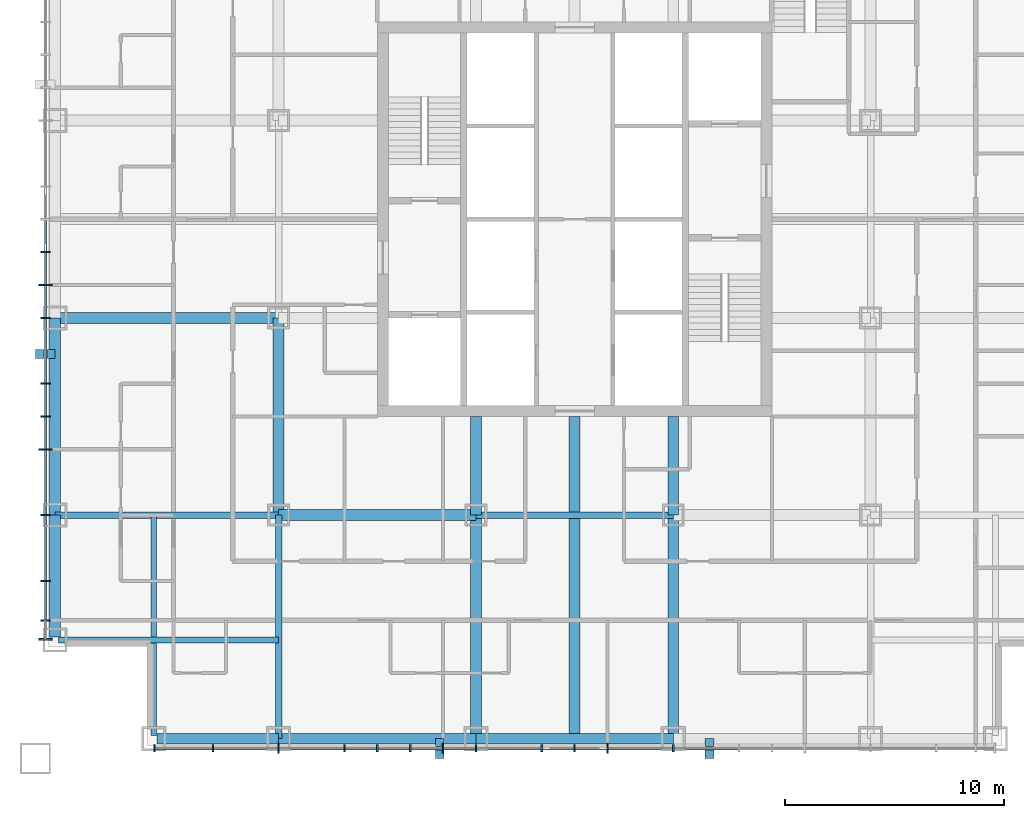
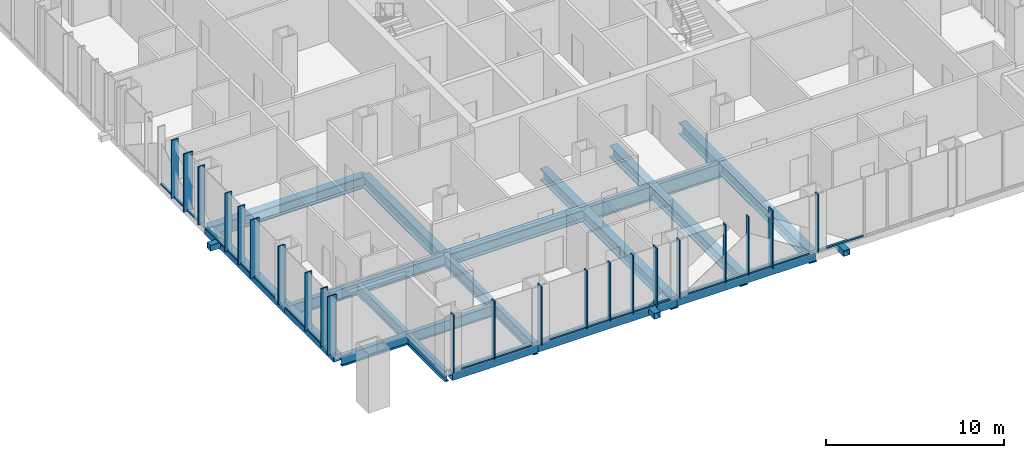
# One storey, part 2 of 16: 46 members, 18 beams, 2 elements without a shape of their own.
"""IFC4 building model written with IfcOpenShell, lengths in metres."""

from ifc_helpers import new_model, si_unit, direction, frame, origin, origin_2d, place, context, subcontext, project, spatial, rectangle, hollow_rectangle, i_section, extrude, material, layer, layer_set, material_profile, profile_set, type_object, element, aggregate, save


model = new_model("IFC4")

# Units and contexts
model_context = context("Model", 3, precision=1e-05, world=origin(), true_north=direction((0.0, 1.0)))
body_context = subcontext(model_context, "Body", "Model", "MODEL_VIEW")
ifc_project = project(units=[si_unit("LENGTHUNIT", "METRE"), si_unit("AREAUNIT", "SQUARE_METRE"), si_unit("VOLUMEUNIT", "CUBIC_METRE"), si_unit("PLANEANGLEUNIT", "RADIAN"), si_unit("MASSUNIT", "GRAM", prefix="KILO")], contexts=[model_context])

# Site, building, storey
site_placement = place(None, origin())
site = spatial("IfcSite", under=ifc_project, at=site_placement, CompositionType="ELEMENT")
building_placement = place(site_placement, origin())
building = spatial("IfcBuilding", under=site, at=building_placement, Name="Malebo Sky Hospital", CompositionType="ELEMENT")
storey_placement = place(building_placement, frame((0.0, 0.0, 152.0)))
storey = spatial("IfcBuildingStorey", under=building, at=storey_placement, Name="L36", CompositionType="ELEMENT", Elevation=152.0)

# Curtain wall, members
ifc_material_1 = material(Name="Anodised aluminium, natural silver", Category="aluminium")
ifc_layer_1 = layer(ifc_material_1, 0.25)
ifc_layer_set_1 = layer_set([ifc_layer_1], Name="WARD CURTAIN WALL EAST AND WEST")
curtain_wall_type_1 = type_object("IfcCurtainWallType", Name="WARD CURTAIN WALL EAST AND WEST", PredefinedType="NOTDEFINED", material=ifc_layer_set_1)
curtain_wall_1_placement = place(storey_placement, origin())
curtain_wall_1 = element("IfcCurtainWall", 1, at=curtain_wall_1_placement, inside=storey, type_object=curtain_wall_type_1, Name="EW curtain wall W", PredefinedType="NOTDEFINED")
ifc_material_profile_1 = material_profile(ifc_material_1, rectangle(XDim=0.14990234375, YDim=0.10009765625, at=origin_2d()), Name="ALUMINIUM TRANSOM 150x100")
ifc_profile_set_1 = profile_set([ifc_material_profile_1], Name="Anodised aluminium, natural silver")
member_type_1 = type_object("IfcMemberType", Name="ALUMINIUM TRANSOM 150x100", PredefinedType="USERDEFINED", material=ifc_profile_set_1)
member_1_placement = place(storey_placement, frame((35.864990234375, 43.737548828125, 0.050048828125), z_axis=(0.0, 1.0, 0.0), x_axis=(-1.0, 0.0, 0.0)))
member_1 = element("IfcMember", 2, at=member_1_placement, type_object=member_type_1, Name="Transom 2", ObjectType="TRANSOM", PredefinedType="USERDEFINED", context=body_context, shape_type="SweptSolid", body=[
    extrude(rectangle(XDim=0.14990234375, YDim=0.10009765625, at=origin_2d()), origin(), (0.0, 0.0, 1.0), 1.724853515625),
])
member_2_placement = place(storey_placement, frame((35.864990234375, 45.53759765625, 0.050048828125), z_axis=(0.0, 1.0, 0.0), x_axis=(-1.0, 0.0, 0.0)))
member_2 = element("IfcMember", 3, at=member_2_placement, type_object=member_type_1, Name="Transom 3", ObjectType="TRANSOM", PredefinedType="USERDEFINED", context=body_context, shape_type="SweptSolid", body=[
    extrude(rectangle(XDim=0.14990234375, YDim=0.10009765625, at=origin_2d()), origin(), (0.0, 0.0, 1.0), 2.9248046875),
])
member_3_placement = place(storey_placement, frame((35.864990234375, 48.53759765625, 0.050048828125), z_axis=(0.0, 1.0, 0.0), x_axis=(-1.0, 0.0, 0.0)))
member_3 = element("IfcMember", 4, at=member_3_placement, type_object=member_type_1, Name="Transom 4", ObjectType="TRANSOM", PredefinedType="USERDEFINED", context=body_context, shape_type="SweptSolid", body=[
    extrude(rectangle(XDim=0.14990234375, YDim=0.10009765625, at=origin_2d()), origin(), (0.0, 0.0, 1.0), 2.9248046875),
])
member_4_placement = place(storey_placement, frame((35.864990234375, 51.53759765625, 0.050048828125), z_axis=(0.0, 1.0, 0.0), x_axis=(-1.0, 0.0, 0.0)))
member_4 = element("IfcMember", 5, at=member_4_placement, type_object=member_type_1, Name="Transom 5", ObjectType="TRANSOM", PredefinedType="USERDEFINED", context=body_context, shape_type="SweptSolid", body=[
    extrude(rectangle(XDim=0.14990234375, YDim=0.10009765625, at=origin_2d()), origin(), (0.0, 0.0, 1.0), 1.4248046875),
])
member_5_placement = place(storey_placement, frame((35.864990234375, 53.03759765625, 0.050048828125), z_axis=(0.0, 1.0, 0.0), x_axis=(-1.0, 0.0, 0.0)))
member_5 = element("IfcMember", 6, at=member_5_placement, type_object=member_type_1, Name="Transom 6", ObjectType="TRANSOM", PredefinedType="USERDEFINED", context=body_context, shape_type="SweptSolid", body=[
    extrude(rectangle(XDim=0.14990234375, YDim=0.10009765625, at=origin_2d()), origin(), (0.0, 0.0, 1.0), 1.4248046875),
])
member_6_placement = place(storey_placement, frame((35.864990234375, 54.53759765625, 0.050048828125), z_axis=(0.0, 1.0, 0.0), x_axis=(-1.0, 0.0, 0.0)))
member_6 = element("IfcMember", 7, at=member_6_placement, type_object=member_type_1, Name="Transom 7", ObjectType="TRANSOM", PredefinedType="USERDEFINED", context=body_context, shape_type="SweptSolid", body=[
    extrude(rectangle(XDim=0.14990234375, YDim=0.10009765625, at=origin_2d()), origin(), (0.0, 0.0, 1.0), 2.9248046875),
])
member_7_placement = place(storey_placement, frame((35.864990234375, 57.53759765625, 0.050048828125), z_axis=(0.0, 1.0, 0.0), x_axis=(-1.0, 0.0, 0.0)))
member_7 = element("IfcMember", 8, at=member_7_placement, type_object=member_type_1, Name="Transom 8", ObjectType="TRANSOM", PredefinedType="USERDEFINED", context=body_context, shape_type="SweptSolid", body=[
    extrude(rectangle(XDim=0.14990234375, YDim=0.10009765625, at=origin_2d()), origin(), (0.0, 0.0, 1.0), 1.4248046875),
])
member_8_placement = place(storey_placement, frame((35.864990234375, 59.03759765625, 0.050048828125), z_axis=(0.0, 1.0, 0.0), x_axis=(-1.0, 0.0, 0.0)))
member_8 = element("IfcMember", 9, at=member_8_placement, type_object=member_type_1, Name="Transom 9", ObjectType="TRANSOM", PredefinedType="USERDEFINED", context=body_context, shape_type="SweptSolid", body=[
    extrude(rectangle(XDim=0.14990234375, YDim=0.10009765625, at=origin_2d()), origin(), (0.0, 0.0, 1.0), 1.4248046875),
])
member_9_placement = place(storey_placement, frame((35.864990234375, 60.53759765625, 0.050048828125), z_axis=(0.0, 1.0, 0.0), x_axis=(-1.0, 0.0, 0.0)))
member_9 = element("IfcMember", 10, at=member_9_placement, type_object=member_type_1, Name="Transom 10", ObjectType="TRANSOM", PredefinedType="USERDEFINED", context=body_context, shape_type="SweptSolid", body=[
    extrude(rectangle(XDim=0.14990234375, YDim=0.10009765625, at=origin_2d()), origin(), (0.0, 0.0, 1.0), 1.4248046875),
])

ifc_layer_2 = layer(ifc_material_1, 0.25)
ifc_layer_set_2 = layer_set([ifc_layer_2], Name="WARD CURTAIN WALL NORTH AND SOUTH")
curtain_wall_type_2 = type_object("IfcCurtainWallType", Name="WARD CURTAIN WALL NORTH AND SOUTH", PredefinedType="NOTDEFINED", material=ifc_layer_set_2)
curtain_wall_2_placement = place(storey_placement, origin())
curtain_wall_2 = element("IfcCurtainWall", 11, at=curtain_wall_2_placement, inside=storey, type_object=curtain_wall_type_2, Name="NS curtain wall S", PredefinedType="NOTDEFINED")
member_10_placement = place(storey_placement, frame((67.46240234375, 37.864990234375, 0.050048828125), z_axis=(-1.0, 0.0, 0.0), x_axis=(0.0, -1.0, 0.0)))
member_10 = element("IfcMember", 12, at=member_10_placement, type_object=member_type_1, Name="Transom 7", ObjectType="TRANSOM", PredefinedType="USERDEFINED", context=body_context, shape_type="SweptSolid", body=[
    extrude(rectangle(XDim=0.14990234375, YDim=0.10009765625, at=origin_2d()), origin(), (0.0, 0.0, 1.0), 2.9248046875),
])
member_11_placement = place(storey_placement, frame((64.46240234375, 37.864990234375, 0.050048828125), z_axis=(-1.0, 0.0, 0.0), x_axis=(0.0, -1.0, 0.0)))
member_11 = element("IfcMember", 13, at=member_11_placement, type_object=member_type_1, Name="Transom 8", ObjectType="TRANSOM", PredefinedType="USERDEFINED", context=body_context, shape_type="SweptSolid", body=[
    extrude(rectangle(XDim=0.14990234375, YDim=0.10009765625, at=origin_2d()), origin(), (0.0, 0.0, 1.0), 2.9248046875),
])
member_12_placement = place(storey_placement, frame((61.46240234375, 37.864990234375, 0.050048828125), z_axis=(-1.0, 0.0, 0.0), x_axis=(0.0, -1.0, 0.0)))
member_12 = element("IfcMember", 14, at=member_12_placement, type_object=member_type_1, Name="Transom 9", ObjectType="TRANSOM", PredefinedType="USERDEFINED", context=body_context, shape_type="SweptSolid", body=[
    extrude(rectangle(XDim=0.14990234375, YDim=0.10009765625, at=origin_2d()), origin(), (0.0, 0.0, 1.0), 1.4248046875),
])
member_13_placement = place(storey_placement, frame((59.96240234375, 37.864990234375, 0.050048828125), z_axis=(-1.0, 0.0, 0.0), x_axis=(0.0, -1.0, 0.0)))
member_13 = element("IfcMember", 15, at=member_13_placement, type_object=member_type_1, Name="Transom 10", ObjectType="TRANSOM", PredefinedType="USERDEFINED", context=body_context, shape_type="SweptSolid", body=[
    extrude(rectangle(XDim=0.14990234375, YDim=0.10009765625, at=origin_2d()), origin(), (0.0, 0.0, 1.0), 1.4248046875),
])
member_14_placement = place(storey_placement, frame((58.46240234375, 37.864990234375, 0.050048828125), z_axis=(-1.0, 0.0, 0.0), x_axis=(0.0, -1.0, 0.0)))
member_14 = element("IfcMember", 16, at=member_14_placement, type_object=member_type_1, Name="Transom 11", ObjectType="TRANSOM", PredefinedType="USERDEFINED", context=body_context, shape_type="SweptSolid", body=[
    extrude(rectangle(XDim=0.14990234375, YDim=0.10009765625, at=origin_2d()), origin(), (0.0, 0.0, 1.0), 2.9248046875),
])
member_15_placement = place(storey_placement, frame((55.46240234375, 37.864990234375, 0.050048828125), z_axis=(-1.0, 0.0, 0.0), x_axis=(0.0, -1.0, 0.0)))
member_15 = element("IfcMember", 17, at=member_15_placement, type_object=member_type_1, Name="Transom 12", ObjectType="TRANSOM", PredefinedType="USERDEFINED", context=body_context, shape_type="SweptSolid", body=[
    extrude(rectangle(XDim=0.14990234375, YDim=0.10009765625, at=origin_2d()), origin(), (0.0, 0.0, 1.0), 1.4248046875),
])
member_16_placement = place(storey_placement, frame((53.96240234375, 37.864990234375, 0.050048828125), z_axis=(-1.0, 0.0, 0.0), x_axis=(0.0, -1.0, 0.0)))
member_16 = element("IfcMember", 18, at=member_16_placement, type_object=member_type_1, Name="Transom 13", ObjectType="TRANSOM", PredefinedType="USERDEFINED", context=body_context, shape_type="SweptSolid", body=[
    extrude(rectangle(XDim=0.14990234375, YDim=0.10009765625, at=origin_2d()), origin(), (0.0, 0.0, 1.0), 1.4248046875),
])
member_17_placement = place(storey_placement, frame((52.46240234375, 37.864990234375, 0.050048828125), z_axis=(-1.0, 0.0, 0.0), x_axis=(0.0, -1.0, 0.0)))
member_17 = element("IfcMember", 19, at=member_17_placement, type_object=member_type_1, Name="Transom 14", ObjectType="TRANSOM", PredefinedType="USERDEFINED", context=body_context, shape_type="SweptSolid", body=[
    extrude(rectangle(XDim=0.14990234375, YDim=0.10009765625, at=origin_2d()), origin(), (0.0, 0.0, 1.0), 1.4248046875),
])
member_18_placement = place(storey_placement, frame((50.96240234375, 37.864990234375, 0.050048828125), z_axis=(-1.0, 0.0, 0.0), x_axis=(0.0, -1.0, 0.0)))
member_18 = element("IfcMember", 20, at=member_18_placement, type_object=member_type_1, Name="Transom 15", ObjectType="TRANSOM", PredefinedType="USERDEFINED", context=body_context, shape_type="SweptSolid", body=[
    extrude(rectangle(XDim=0.14990234375, YDim=0.10009765625, at=origin_2d()), origin(), (0.0, 0.0, 1.0), 1.4248046875),
])
member_19_placement = place(storey_placement, frame((49.46240234375, 37.864990234375, 0.050048828125), z_axis=(-1.0, 0.0, 0.0), x_axis=(0.0, -1.0, 0.0)))
member_19 = element("IfcMember", 21, at=member_19_placement, type_object=member_type_1, Name="Transom 16", ObjectType="TRANSOM", PredefinedType="USERDEFINED", context=body_context, shape_type="SweptSolid", body=[
    extrude(rectangle(XDim=0.14990234375, YDim=0.10009765625, at=origin_2d()), origin(), (0.0, 0.0, 1.0), 2.9248046875),
])
member_20_placement = place(storey_placement, frame((46.46240234375, 37.864990234375, 0.050048828125), z_axis=(-1.0, 0.0, 0.0), x_axis=(0.0, -1.0, 0.0)))
member_20 = element("IfcMember", 22, at=member_20_placement, type_object=member_type_1, Name="Transom 17", ObjectType="TRANSOM", PredefinedType="USERDEFINED", context=body_context, shape_type="SweptSolid", body=[
    extrude(rectangle(XDim=0.14990234375, YDim=0.10009765625, at=origin_2d()), origin(), (0.0, 0.0, 1.0), 2.9248046875),
])
member_21_placement = place(storey_placement, frame((43.46240234375, 37.864990234375, 0.050048828125), z_axis=(-1.0, 0.0, 0.0), x_axis=(0.0, -1.0, 0.0)))
member_21 = element("IfcMember", 23, at=member_21_placement, type_object=member_type_1, Name="Transom 18", ObjectType="TRANSOM", PredefinedType="USERDEFINED", context=body_context, shape_type="SweptSolid", body=[
    extrude(rectangle(XDim=0.14990234375, YDim=0.10009765625, at=origin_2d()), origin(), (0.0, 0.0, 1.0), 2.58740234375),
])

# Members
ifc_material_2 = material(Name="Steel S355", Category="steel")
ifc_material_profile_2 = material_profile(ifc_material_2, hollow_rectangle(XDim=0.39990234375, YDim=0.39990234375, WallThickness=0.02001953125, at=origin_2d()), Name="SHS 400x20")
ifc_profile_set_2 = profile_set([ifc_material_profile_2], Name="Steel S355")
member_type_2 = type_object("IfcMemberType", Name="BRACE STRUT SHS 400x20", PredefinedType="STRUT", material=ifc_profile_set_2)
for number, where, z_axis, x_axis, name in (
    (24, (53.85009765625, 37.39990234375, -0.39990234375), (0.0, 1.0, 0.0), (-1.0, 0.0, 0.0), "Brace strut BS1 L36"),
    (25, (66.14990234375, 37.39990234375, -0.39990234375), (0.0, 1.0, 0.0), (-1.0, 0.0, 0.0), "Brace strut BS2 L36"),
    (26, (35.39990234375, 55.85009765625, -0.39990234375), (1.0, 0.0, 0.0), (0.0, 1.0, 0.0), "Brace strut BW2 L36"),
):
    element("IfcMember", number, at=place(storey_placement, frame(where, z_axis=z_axis, x_axis=x_axis)), inside=storey, type_object=member_type_2, Name=name, PredefinedType="STRUT", context=body_context, shape_type="SweptSolid", body=[
        extrude(hollow_rectangle(XDim=0.39990234375, YDim=0.39990234375, WallThickness=0.02001953125, at=origin_2d()), origin(), (0.0, 0.0, 1.0), 0.900146484375),
    ])

# Member
ifc_material_profile_3 = material_profile(ifc_material_1, rectangle(XDim=0.074951171875, YDim=0.300048828125, at=origin_2d()), Name="CW1 ALUMINIUM FIN MULLION 75x300")
ifc_profile_set_3 = profile_set([ifc_material_profile_3], Name="Anodised aluminium, natural silver")
member_type_3 = type_object("IfcMemberType", Name="CW1 ALUMINIUM FIN MULLION 75x300", PredefinedType="MULLION", material=ifc_profile_set_3)
member_22_placement = place(storey_placement, frame((64.5, 37.864990234375, 0.0), z_axis=(0.0, 0.0, 1.0), x_axis=(-1.0, 0.0, 0.0)))
member_22 = element("IfcMember", 27, at=member_22_placement, type_object=member_type_3, Name="Fin mullion 8", PredefinedType="MULLION", context=body_context, shape_type="SweptSolid", body=[
    extrude(rectangle(XDim=0.074951171875, YDim=0.300048828125, at=origin_2d()), origin(), (0.0, 0.0, 1.0), 4.0),
])

member_23_placement = place(storey_placement, frame((60.0, 37.864990234375, 0.0), z_axis=(0.0, 0.0, 1.0), x_axis=(-1.0, 0.0, 0.0)))
member_23 = element("IfcMember", 28, at=member_23_placement, type_object=member_type_3, Name="Fin mullion 10", PredefinedType="MULLION", context=body_context, shape_type="SweptSolid", body=[
    extrude(rectangle(XDim=0.074951171875, YDim=0.300048828125, at=origin_2d()), origin(), (0.0, 0.0, 1.0), 4.0),
])

member_24_placement = place(storey_placement, frame((58.5, 37.864990234375, 0.0), z_axis=(0.0, 0.0, 1.0), x_axis=(-1.0, 0.0, 0.0)))
member_24 = element("IfcMember", 29, at=member_24_placement, type_object=member_type_3, Name="Fin mullion 11", PredefinedType="MULLION", context=body_context, shape_type="SweptSolid", body=[
    extrude(rectangle(XDim=0.074951171875, YDim=0.300048828125, at=origin_2d()), origin(), (0.0, 0.0, 1.0), 4.0),
])

member_25_placement = place(storey_placement, frame((55.5, 37.864990234375, 0.0), z_axis=(0.0, 0.0, 1.0), x_axis=(-1.0, 0.0, 0.0)))
member_25 = element("IfcMember", 30, at=member_25_placement, type_object=member_type_3, Name="Fin mullion 12", PredefinedType="MULLION", context=body_context, shape_type="SweptSolid", body=[
    extrude(rectangle(XDim=0.074951171875, YDim=0.300048828125, at=origin_2d()), origin(), (0.0, 0.0, 1.0), 4.0),
])

member_26_placement = place(storey_placement, frame((52.5, 37.864990234375, 0.0), z_axis=(0.0, 0.0, 1.0), x_axis=(-1.0, 0.0, 0.0)))
member_26 = element("IfcMember", 31, at=member_26_placement, type_object=member_type_3, Name="Fin mullion 14", PredefinedType="MULLION", context=body_context, shape_type="SweptSolid", body=[
    extrude(rectangle(XDim=0.074951171875, YDim=0.300048828125, at=origin_2d()), origin(), (0.0, 0.0, 1.0), 4.0),
])

member_27_placement = place(storey_placement, frame((51.0, 37.864990234375, 0.0), z_axis=(0.0, 0.0, 1.0), x_axis=(-1.0, 0.0, 0.0)))
member_27 = element("IfcMember", 32, at=member_27_placement, type_object=member_type_3, Name="Fin mullion 15", PredefinedType="MULLION", context=body_context, shape_type="SweptSolid", body=[
    extrude(rectangle(XDim=0.074951171875, YDim=0.300048828125, at=origin_2d()), origin(), (0.0, 0.0, 1.0), 4.0),
])

member_28_placement = place(storey_placement, frame((49.5, 37.864990234375, 0.0), z_axis=(0.0, 0.0, 1.0), x_axis=(-1.0, 0.0, 0.0)))
member_28 = element("IfcMember", 33, at=member_28_placement, type_object=member_type_3, Name="Fin mullion 16", PredefinedType="MULLION", context=body_context, shape_type="SweptSolid", body=[
    extrude(rectangle(XDim=0.074951171875, YDim=0.300048828125, at=origin_2d()), origin(), (0.0, 0.0, 1.0), 4.0),
])

member_29_placement = place(storey_placement, frame((43.5, 37.864990234375, 0.0), z_axis=(0.0, 0.0, 1.0), x_axis=(-1.0, 0.0, 0.0)))
member_29 = element("IfcMember", 34, at=member_29_placement, type_object=member_type_3, Name="Fin mullion 18", PredefinedType="MULLION", context=body_context, shape_type="SweptSolid", body=[
    extrude(rectangle(XDim=0.074951171875, YDim=0.300048828125, at=origin_2d()), origin(), (0.0, 0.0, 1.0), 4.0),
])

member_30_placement = place(storey_placement, frame((40.83740234375, 37.864990234375, 0.0), z_axis=(0.0, 0.0, 1.0), x_axis=(-1.0, 0.0, 0.0)))
member_30 = element("IfcMember", 35, at=member_30_placement, type_object=member_type_3, Name="Fin mullion 19", PredefinedType="MULLION", context=body_context, shape_type="SweptSolid", body=[
    extrude(rectangle(XDim=0.074951171875, YDim=0.300048828125, at=origin_2d()), origin(), (0.0, 0.0, 1.0), 4.0),
])

ifc_material_profile_4 = material_profile(ifc_material_1, rectangle(XDim=0.074951171875, YDim=0.449951171875, at=origin_2d()), Name="CW1 ALUMINIUM FIN MULLION 75x450")
ifc_profile_set_4 = profile_set([ifc_material_profile_4], Name="Anodised aluminium, natural silver")
member_type_4 = type_object("IfcMemberType", Name="CW1 ALUMINIUM FIN MULLION 75x450", PredefinedType="MULLION", material=ifc_profile_set_4)
member_31_placement = place(storey_placement, frame((61.5, 37.864990234375, 0.0), z_axis=(0.0, 0.0, 1.0), x_axis=(-1.0, 0.0, 0.0)))
member_31 = element("IfcMember", 36, at=member_31_placement, type_object=member_type_4, Name="Fin mullion 9", PredefinedType="MULLION", context=body_context, shape_type="SweptSolid", body=[
    extrude(rectangle(XDim=0.074951171875, YDim=0.449951171875, at=origin_2d()), origin(), (0.0, 0.0, 1.0), 4.0),
])

member_32_placement = place(storey_placement, frame((54.0, 37.864990234375, 0.0), z_axis=(0.0, 0.0, 1.0), x_axis=(-1.0, 0.0, 0.0)))
member_32 = element("IfcMember", 37, at=member_32_placement, type_object=member_type_4, Name="Fin mullion 13", PredefinedType="MULLION", context=body_context, shape_type="SweptSolid", body=[
    extrude(rectangle(XDim=0.074951171875, YDim=0.449951171875, at=origin_2d()), origin(), (0.0, 0.0, 1.0), 4.0),
])

member_33_placement = place(storey_placement, frame((46.5, 37.864990234375, 0.0), z_axis=(0.0, 0.0, 1.0), x_axis=(-1.0, 0.0, 0.0)))
member_33 = element("IfcMember", 38, at=member_33_placement, type_object=member_type_4, Name="Fin mullion 17", PredefinedType="MULLION", context=body_context, shape_type="SweptSolid", body=[
    extrude(rectangle(XDim=0.074951171875, YDim=0.449951171875, at=origin_2d()), origin(), (0.0, 0.0, 1.0), 4.0),
])

aggregate(curtain_wall_2, [member_22, member_31, member_23, member_24, member_25, member_32, member_26, member_27, member_28, member_33, member_29, member_30, member_10, member_11, member_12, member_13, member_14, member_15, member_16, member_17, member_18, member_19, member_20, member_21])

ifc_material_profile_5 = material_profile(ifc_material_1, rectangle(XDim=0.074951171875, YDim=0.449951171875, at=origin_2d()), Name="CW2 ALUMINIUM FIN MULLION 75x450")
ifc_profile_set_5 = profile_set([ifc_material_profile_5], Name="Anodised aluminium, natural silver")
member_type_5 = type_object("IfcMemberType", Name="CW2 ALUMINIUM FIN MULLION 75x450", PredefinedType="MULLION", material=ifc_profile_set_5)
member_34_placement = place(storey_placement, frame((35.864990234375, 43.699951171875, 0.0), z_axis=(0.0, 0.0, 1.0), x_axis=(0.0, 1.0, 0.0)))
member_34 = element("IfcMember", 39, at=member_34_placement, type_object=member_type_5, Name="Fin mullion 2", PredefinedType="MULLION", context=body_context, shape_type="SweptSolid", body=[
    extrude(rectangle(XDim=0.074951171875, YDim=0.449951171875, at=origin_2d()), origin(), (0.0, 0.0, 1.0), 4.0),
])

member_35_placement = place(storey_placement, frame((35.864990234375, 45.5, 0.0), z_axis=(0.0, 0.0, 1.0), x_axis=(0.0, 1.0, 0.0)))
member_35 = element("IfcMember", 40, at=member_35_placement, type_object=member_type_5, Name="Fin mullion 3", PredefinedType="MULLION", context=body_context, shape_type="SweptSolid", body=[
    extrude(rectangle(XDim=0.074951171875, YDim=0.449951171875, at=origin_2d()), origin(), (0.0, 0.0, 1.0), 4.0),
])

member_36_placement = place(storey_placement, frame((35.864990234375, 48.5, 0.0), z_axis=(0.0, 0.0, 1.0), x_axis=(0.0, 1.0, 0.0)))
member_36 = element("IfcMember", 41, at=member_36_placement, type_object=member_type_5, Name="Fin mullion 4", PredefinedType="MULLION", context=body_context, shape_type="SweptSolid", body=[
    extrude(rectangle(XDim=0.074951171875, YDim=0.449951171875, at=origin_2d()), origin(), (0.0, 0.0, 1.0), 4.0),
])

member_37_placement = place(storey_placement, frame((35.864990234375, 53.0, 0.0), z_axis=(0.0, 0.0, 1.0), x_axis=(0.0, 1.0, 0.0)))
member_37 = element("IfcMember", 42, at=member_37_placement, type_object=member_type_5, Name="Fin mullion 6", PredefinedType="MULLION", context=body_context, shape_type="SweptSolid", body=[
    extrude(rectangle(XDim=0.074951171875, YDim=0.449951171875, at=origin_2d()), origin(), (0.0, 0.0, 1.0), 4.0),
])

member_38_placement = place(storey_placement, frame((35.864990234375, 54.5, 0.0), z_axis=(0.0, 0.0, 1.0), x_axis=(0.0, 1.0, 0.0)))
member_38 = element("IfcMember", 43, at=member_38_placement, type_object=member_type_5, Name="Fin mullion 7", PredefinedType="MULLION", context=body_context, shape_type="SweptSolid", body=[
    extrude(rectangle(XDim=0.074951171875, YDim=0.449951171875, at=origin_2d()), origin(), (0.0, 0.0, 1.0), 4.0),
])

member_39_placement = place(storey_placement, frame((35.864990234375, 57.5, 0.0), z_axis=(0.0, 0.0, 1.0), x_axis=(0.0, 1.0, 0.0)))
member_39 = element("IfcMember", 44, at=member_39_placement, type_object=member_type_5, Name="Fin mullion 8", PredefinedType="MULLION", context=body_context, shape_type="SweptSolid", body=[
    extrude(rectangle(XDim=0.074951171875, YDim=0.449951171875, at=origin_2d()), origin(), (0.0, 0.0, 1.0), 4.0),
])

member_40_placement = place(storey_placement, frame((35.864990234375, 60.5, 0.0), z_axis=(0.0, 0.0, 1.0), x_axis=(0.0, 1.0, 0.0)))
member_40 = element("IfcMember", 45, at=member_40_placement, type_object=member_type_5, Name="Fin mullion 10", PredefinedType="MULLION", context=body_context, shape_type="SweptSolid", body=[
    extrude(rectangle(XDim=0.074951171875, YDim=0.449951171875, at=origin_2d()), origin(), (0.0, 0.0, 1.0), 4.0),
])

ifc_material_profile_6 = material_profile(ifc_material_1, rectangle(XDim=0.074951171875, YDim=0.60009765625, at=origin_2d()), Name="CW2 ALUMINIUM FIN MULLION 75x600")
ifc_profile_set_6 = profile_set([ifc_material_profile_6], Name="Anodised aluminium, natural silver")
member_type_6 = type_object("IfcMemberType", Name="CW2 ALUMINIUM FIN MULLION 75x600", PredefinedType="MULLION", material=ifc_profile_set_6)
member_41_placement = place(storey_placement, frame((35.864990234375, 42.83740234375, 0.0), z_axis=(0.0, 0.0, 1.0), x_axis=(0.0, 1.0, 0.0)))
member_41 = element("IfcMember", 46, at=member_41_placement, type_object=member_type_6, Name="Fin mullion 1", PredefinedType="MULLION", context=body_context, shape_type="SweptSolid", body=[
    extrude(rectangle(XDim=0.074951171875, YDim=0.60009765625, at=origin_2d()), origin(), (0.0, 0.0, 1.0), 4.0),
])

member_42_placement = place(storey_placement, frame((35.864990234375, 51.5, 0.0), z_axis=(0.0, 0.0, 1.0), x_axis=(0.0, 1.0, 0.0)))
member_42 = element("IfcMember", 47, at=member_42_placement, type_object=member_type_6, Name="Fin mullion 5", PredefinedType="MULLION", context=body_context, shape_type="SweptSolid", body=[
    extrude(rectangle(XDim=0.074951171875, YDim=0.60009765625, at=origin_2d()), origin(), (0.0, 0.0, 1.0), 4.0),
])

member_43_placement = place(storey_placement, frame((35.864990234375, 59.0, 0.0), z_axis=(0.0, 0.0, 1.0), x_axis=(0.0, 1.0, 0.0)))
member_43 = element("IfcMember", 48, at=member_43_placement, type_object=member_type_6, Name="Fin mullion 9", PredefinedType="MULLION", context=body_context, shape_type="SweptSolid", body=[
    extrude(rectangle(XDim=0.074951171875, YDim=0.60009765625, at=origin_2d()), origin(), (0.0, 0.0, 1.0), 4.0),
])

aggregate(curtain_wall_1, [member_41, member_34, member_35, member_36, member_42, member_37, member_38, member_39, member_43, member_40, member_1, member_2, member_3, member_4, member_5, member_6, member_7, member_8, member_9])

# Beams
ifc_material_3 = material(Name="Steel S460", Category="steel")
ifc_material_profile_7 = material_profile(ifc_material_3, hollow_rectangle(XDim=0.5, YDim=0.5, WallThickness=0.030029296875, at=origin_2d()), Name="BOX 500x500x30")
ifc_profile_set_7 = profile_set([ifc_material_profile_7], Name="Steel S460")
beam_type_1 = type_object("IfcBeamType", Name="EDGE BEAM BOX 500x500x30", PredefinedType="BEAM", material=ifc_profile_set_7)
beam_1_placement = place(storey_placement, frame((36.300048828125, 42.949951171875, -0.5), z_axis=(0.0, 1.0, 0.0), x_axis=(-1.0, 0.0, 0.0)))
element("IfcBeam", 49, at=beam_1_placement, inside=storey, type_object=beam_type_1, Name="Beam 000 L36", PredefinedType="BEAM", context=body_context, shape_type="SweptSolid", body=[
    extrude(hollow_rectangle(XDim=0.5, YDim=0.5, WallThickness=0.030029296875, at=origin_2d()), origin(), (0.0, 0.0, 1.0), 5.550048828125),
])
beam_2_placement = place(storey_placement, frame((36.300048828125, 48.5, -0.5), z_axis=(0.0, 1.0, 0.0), x_axis=(-1.0, 0.0, 0.0)))
element("IfcBeam", 50, at=beam_2_placement, inside=storey, type_object=beam_type_1, Name="Beam 001 L36", PredefinedType="BEAM", context=body_context, shape_type="SweptSolid", body=[
    extrude(hollow_rectangle(XDim=0.5, YDim=0.5, WallThickness=0.030029296875, at=origin_2d()), origin(), (0.0, 0.0, 1.0), 9.0),
])
beam_3_placement = place(storey_placement, frame((40.949951171875, 38.300048828125, -0.5), z_axis=(1.0, 0.0, 0.0), x_axis=(0.0, 1.0, 0.0)))
element("IfcBeam", 51, at=beam_3_placement, inside=storey, type_object=beam_type_1, Name="Beam 034 L36", PredefinedType="BEAM", context=body_context, shape_type="SweptSolid", body=[
    extrude(hollow_rectangle(XDim=0.5, YDim=0.5, WallThickness=0.030029296875, at=origin_2d()), origin(), (0.0, 0.0, 1.0), 5.550048828125),
])
for number, where, z_axis, x_axis, name in (
    (52, (46.5, 38.300048828125, -0.5), (1.0, 0.0, 0.0), (0.0, 1.0, 0.0), "Beam 035 L36"),
    (53, (55.5, 38.300048828125, -0.5), (1.0, 0.0, 0.0), (0.0, 1.0, 0.0), "Beam 036 L36"),
):
    element("IfcBeam", number, at=place(storey_placement, frame(where, z_axis=z_axis, x_axis=x_axis)), inside=storey, type_object=beam_type_1, Name=name, PredefinedType="BEAM", context=body_context, shape_type="SweptSolid", body=[
        extrude(hollow_rectangle(XDim=0.5, YDim=0.5, WallThickness=0.030029296875, at=origin_2d()), origin(), (0.0, 0.0, 1.0), 9.0),
    ])
ifc_material_profile_8 = material_profile(ifc_material_2, i_section(OverallWidth=0.262939453125, OverallDepth=0.7529296875, WebThickness=0.011474609375, FlangeThickness=0.01708984375, FilletRadius=0.01708984375, at=origin_2d()), Name="IPE 750x137")
ifc_profile_set_8 = profile_set([ifc_material_profile_8], Name="Steel S355")
beam_type_2 = type_object("IfcBeamType", Name="FLOOR BEAM IPE 750x137", PredefinedType="BEAM", material=ifc_profile_set_8)
for number, where, z_axis, x_axis, name in (
    (54, (40.800048828125, 38.449951171875, -0.62646484375), (0.0, 1.0, 0.0), (-1.0, 0.0, 0.0), "Beam 005 L36"),
    (55, (36.449951171875, 42.800048828125, -0.62646484375), (1.0, 0.0, 0.0), (0.0, 1.0, 0.0), "Beam 039 L36"),
):
    element("IfcBeam", number, at=place(storey_placement, frame(where, z_axis=z_axis, x_axis=x_axis)), inside=storey, type_object=beam_type_2, Name=name, PredefinedType="BEAM", context=body_context, shape_type="SweptSolid", body=[
        extrude(i_section(OverallWidth=0.262939453125, OverallDepth=0.7529296875, WebThickness=0.011474609375, FlangeThickness=0.01708984375, FilletRadius=0.01708984375, at=origin_2d()), origin(), (0.0, 0.0, 1.0), 10.050048828125),
    ])
ifc_material_profile_9 = material_profile(ifc_material_2, i_section(OverallWidth=0.5, OverallDepth=0.800048828125, WebThickness=0.030029296875, FlangeThickness=0.050048828125, at=origin_2d()), Name="PG 800x500x30x50")
ifc_profile_set_9 = profile_set([ifc_material_profile_9], Name="Steel S355")
beam_type_3 = type_object("IfcBeamType", Name="FLOOR BEAM PG 800x500x30x50", PredefinedType="BEAM", material=ifc_profile_set_9)
beam_4_placement = place(storey_placement, frame((46.5, 48.5, -0.64990234375), z_axis=(0.0, 1.0, 0.0), x_axis=(-1.0, 0.0, 0.0)))
element("IfcBeam", 56, at=beam_4_placement, inside=storey, type_object=beam_type_3, Name="Beam 008 L36", PredefinedType="BEAM", context=body_context, shape_type="SweptSolid", body=[
    extrude(i_section(OverallWidth=0.5, OverallDepth=0.800048828125, WebThickness=0.030029296875, FlangeThickness=0.050048828125, at=origin_2d()), origin(), (0.0, 0.0, 1.0), 9.0),
])
beam_5_placement = place(storey_placement, frame((55.5, 38.300048828125, -0.64990234375), z_axis=(0.0, 1.0, 0.0), x_axis=(-1.0, 0.0, 0.0)))
element("IfcBeam", 57, at=beam_5_placement, inside=storey, type_object=beam_type_3, Name="Beam 012 L36", PredefinedType="BEAM", context=body_context, shape_type="SweptSolid", body=[
    extrude(i_section(OverallWidth=0.5, OverallDepth=0.800048828125, WebThickness=0.030029296875, FlangeThickness=0.050048828125, at=origin_2d()), origin(), (0.0, 0.0, 1.0), 10.199951171875),
])
beam_6_placement = place(storey_placement, frame((55.5, 48.5, -0.64990234375), z_axis=(0.0, 1.0, 0.0), x_axis=(-1.0, 0.0, 0.0)))
element("IfcBeam", 58, at=beam_6_placement, inside=storey, type_object=beam_type_3, Name="Beam 013 L36", PredefinedType="BEAM", context=body_context, shape_type="SweptSolid", body=[
    extrude(i_section(OverallWidth=0.5, OverallDepth=0.800048828125, WebThickness=0.030029296875, FlangeThickness=0.050048828125, at=origin_2d()), origin(), (0.0, 0.0, 1.0), 4.5),
])
beam_7_placement = place(storey_placement, frame((60.0, 38.300048828125, -0.64990234375), z_axis=(0.0, 1.0, 0.0), x_axis=(-1.0, 0.0, 0.0)))
element("IfcBeam", 59, at=beam_7_placement, inside=storey, type_object=beam_type_3, Name="Beam 016 L36", PredefinedType="BEAM", context=body_context, shape_type="SweptSolid", body=[
    extrude(i_section(OverallWidth=0.5, OverallDepth=0.800048828125, WebThickness=0.030029296875, FlangeThickness=0.050048828125, at=origin_2d()), origin(), (0.0, 0.0, 1.0), 14.699951171875),
])
beam_8_placement = place(storey_placement, frame((64.5, 38.300048828125, -0.64990234375), z_axis=(0.0, 1.0, 0.0), x_axis=(-1.0, 0.0, 0.0)))
element("IfcBeam", 60, at=beam_8_placement, inside=storey, type_object=beam_type_3, Name="Beam 018 L36", PredefinedType="BEAM", context=body_context, shape_type="SweptSolid", body=[
    extrude(i_section(OverallWidth=0.5, OverallDepth=0.800048828125, WebThickness=0.030029296875, FlangeThickness=0.050048828125, at=origin_2d()), origin(), (0.0, 0.0, 1.0), 10.199951171875),
])
beam_9_placement = place(storey_placement, frame((64.5, 48.5, -0.64990234375), z_axis=(0.0, 1.0, 0.0), x_axis=(-1.0, 0.0, 0.0)))
element("IfcBeam", 61, at=beam_9_placement, inside=storey, type_object=beam_type_3, Name="Beam 019 L36", PredefinedType="BEAM", context=body_context, shape_type="SweptSolid", body=[
    extrude(i_section(OverallWidth=0.5, OverallDepth=0.800048828125, WebThickness=0.030029296875, FlangeThickness=0.050048828125, at=origin_2d()), origin(), (0.0, 0.0, 1.0), 4.5),
])
beam_10_placement = place(storey_placement, frame((46.5, 48.5, -0.64990234375), z_axis=(1.0, 0.0, 0.0), x_axis=(0.0, 1.0, 0.0)))
element("IfcBeam", 62, at=beam_10_placement, inside=storey, type_object=beam_type_3, Name="Beam 042 L36", PredefinedType="BEAM", context=body_context, shape_type="SweptSolid", body=[
    extrude(i_section(OverallWidth=0.5, OverallDepth=0.800048828125, WebThickness=0.030029296875, FlangeThickness=0.050048828125, at=origin_2d()), origin(), (0.0, 0.0, 1.0), 9.0),
])
beam_11_placement = place(storey_placement, frame((36.300048828125, 57.5, -0.64990234375), z_axis=(1.0, 0.0, 0.0), x_axis=(0.0, 1.0, 0.0)))
element("IfcBeam", 63, at=beam_11_placement, inside=storey, type_object=beam_type_3, Name="Beam 046 L36", PredefinedType="BEAM", context=body_context, shape_type="SweptSolid", body=[
    extrude(i_section(OverallWidth=0.5, OverallDepth=0.800048828125, WebThickness=0.030029296875, FlangeThickness=0.050048828125, at=origin_2d()), origin(), (0.0, 0.0, 1.0), 10.199951171875),
])
ifc_material_profile_10 = material_profile(ifc_material_2, i_section(OverallWidth=0.300048828125, OverallDepth=0.800048828125, WebThickness=0.017578125, FlangeThickness=0.032958984375, FilletRadius=0.030029296875, at=origin_2d()), Name="HEB 800")
ifc_profile_set_10 = profile_set([ifc_material_profile_10], Name="Steel S355")
beam_type_4 = type_object("IfcBeamType", Name="FLOOR GIRDER HEB 800", PredefinedType="BEAM", material=ifc_profile_set_10)
for number, where, z_axis, x_axis, name in (
    (64, (46.5, 38.300048828125, -0.64990234375), (0.0, 1.0, 0.0), (-1.0, 0.0, 0.0), "Beam 007 L36"),
    (65, (36.300048828125, 48.5, -0.64990234375), (1.0, 0.0, 0.0), (0.0, 1.0, 0.0), "Beam 041 L36"),
):
    element("IfcBeam", number, at=place(storey_placement, frame(where, z_axis=z_axis, x_axis=x_axis)), inside=storey, type_object=beam_type_4, Name=name, PredefinedType="BEAM", context=body_context, shape_type="SweptSolid", body=[
        extrude(i_section(OverallWidth=0.300048828125, OverallDepth=0.800048828125, WebThickness=0.017578125, FlangeThickness=0.032958984375, FilletRadius=0.030029296875, at=origin_2d()), origin(), (0.0, 0.0, 1.0), 10.199951171875),
    ])
ifc_material_profile_11 = material_profile(ifc_material_2, i_section(OverallWidth=0.300048828125, OverallDepth=1.0, WebThickness=0.01904296875, FlangeThickness=0.035888671875, FilletRadius=0.030029296875, at=origin_2d()), Name="HEB 1000")
ifc_profile_set_11 = profile_set([ifc_material_profile_11], Name="Steel S355")
beam_type_5 = type_object("IfcBeamType", Name="RING GIRDER HEB 1000", PredefinedType="BEAM", material=ifc_profile_set_11)
beam_12_placement = place(storey_placement, frame((55.5, 48.5, -0.75), z_axis=(1.0, 0.0, 0.0), x_axis=(0.0, 1.0, 0.0)))
element("IfcBeam", 66, at=beam_12_placement, inside=storey, type_object=beam_type_5, Name="Beam 043 L36", PredefinedType="BEAM", context=body_context, shape_type="SweptSolid", body=[
    extrude(i_section(OverallWidth=0.300048828125, OverallDepth=1.0, WebThickness=0.01904296875, FlangeThickness=0.035888671875, FilletRadius=0.030029296875, at=origin_2d()), origin(), (0.0, 0.0, 1.0), 9.0),
])

save(model, "model.ifc")
